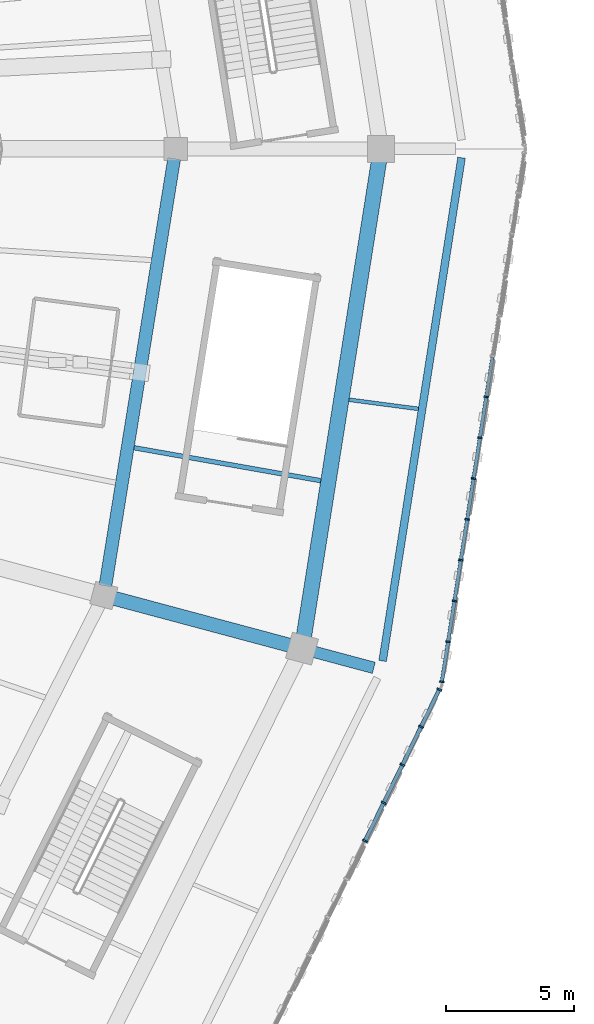
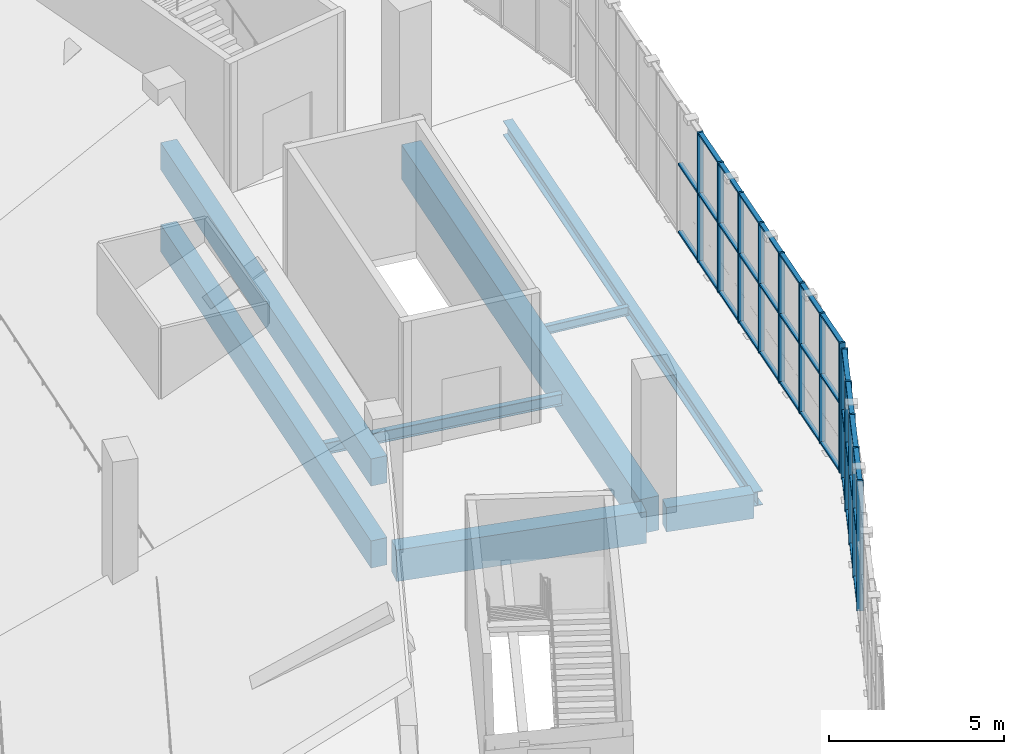
# One storey, part 38 of 152: 48 members, 8 beams, 2 elements without a shape of their own.
"""IFC4 building model written with IfcOpenShell, lengths in metres."""

from ifc_helpers import new_model, si_unit, direction, frame, origin, origin_2d, place, context, subcontext, project, spatial, rectangle, i_section, extrude, material, material_profile, profile_set, type_object, element, aggregate, save


model = new_model("IFC4")

# Units and contexts
model_context = context("Model", 3, precision=1e-05, world=origin(), true_north=direction((0.0, 1.0)))
body_context = subcontext(model_context, "Body", "Model", "MODEL_VIEW")
ifc_project = project(units=[si_unit("LENGTHUNIT", "METRE"), si_unit("AREAUNIT", "SQUARE_METRE"), si_unit("VOLUMEUNIT", "CUBIC_METRE"), si_unit("PLANEANGLEUNIT", "RADIAN"), si_unit("MASSUNIT", "GRAM", prefix="KILO")], contexts=[model_context])

# Site, building, storey
site_placement = place(None, origin())
site = spatial("IfcSite", under=ifc_project, at=site_placement, CompositionType="ELEMENT")
building_placement = place(site_placement, origin())
building = spatial("IfcBuilding", under=site, at=building_placement, Name="Zevraka Park Crest Stadium", CompositionType="ELEMENT")
storey_placement = place(building_placement, frame((0.0, 0.0, 15.0)))
storey = spatial("IfcBuildingStorey", under=building, at=storey_placement, Name="L03", CompositionType="ELEMENT", Elevation=15.0)

# Beams
ifc_material_1 = material(Name="Concrete C40/50", Category="concrete")
ifc_material_profile_1 = material_profile(ifc_material_1, rectangle(XDim=0.550048828125, YDim=1.10009765625, at=origin_2d()), Name="RC 1100x550")
ifc_profile_set_1 = profile_set([ifc_material_profile_1], Name="Concrete C40/50")
beam_type_1 = type_object("IfcBeamType", Name="BG02", PredefinedType="BEAM", material=ifc_profile_set_1)
beam_1_placement = place(storey_placement, frame((191.785888671875, 74.5029296875, -0.56005859375), z_axis=(0.965968812251, -0.258658565986, 0.0), x_axis=(0.258658565986, 0.965968812251, 0.0)))
element("IfcBeam", 1, at=beam_1_placement, inside=storey, type_object=beam_type_1, Name="Radial Girder BG02 L03-CD-23", PredefinedType="BEAM", context=body_context, shape_type="SweptSolid", body=[
    extrude(rectangle(XDim=0.550048828125, YDim=1.10009765625, at=origin_2d()), origin(), (0.0, 0.0, 1.0), 7.39892578125),
])
ifc_material_2 = material(Name="Concrete C40/50", Category="concrete")
ifc_material_profile_2 = material_profile(ifc_material_2, rectangle(XDim=0.449951171875, YDim=0.85009765625, at=origin_2d()), Name="RC 850x450")
ifc_profile_set_2 = profile_set([ifc_material_profile_2], Name="Concrete C40/50")
beam_type_2 = type_object("IfcBeamType", Name="BG03", PredefinedType="BEAM", material=ifc_profile_set_2)
beam_2_placement = place(storey_placement, frame((199.512939453125, 72.43310546875, -0.43505859375), z_axis=(0.965992888406, -0.258568636051, 0.0), x_axis=(0.258568636051, 0.965992888406, 0.0)))
element("IfcBeam", 2, at=beam_2_placement, inside=storey, type_object=beam_type_2, Name="Radial Girder BG03 L03-DE-23", PredefinedType="BEAM", context=body_context, shape_type="SweptSolid", body=[
    extrude(rectangle(XDim=0.449951171875, YDim=0.85009765625, at=origin_2d()), origin(), (0.0, 0.0, 1.0), 2.599365234375),
])

# Curtain wall, members
ifc_material_3 = material(Name="Anodised architectural aluminium and laminated safety glass", Category="aluminium")
curtain_wall_type_1 = type_object("IfcCurtainWallType", Name="CW11", PredefinedType="NOTDEFINED", material=ifc_material_3)
curtain_wall_1_placement = place(storey_placement, origin())
curtain_wall_1 = element("IfcCurtainWall", 3, at=curtain_wall_1_placement, inside=storey, type_object=curtain_wall_type_1, Name="Unitised Ring Curtain Wall CW11 L03-23", PredefinedType="NOTDEFINED")
ifc_material_4 = material(Name="Anodised architectural aluminium", Category="aluminium")
ifc_material_profile_3 = material_profile(ifc_material_4, rectangle(XDim=0.179931640625, YDim=0.06494140625, at=origin_2d()), Name="ALU MULLION 180x65")
ifc_profile_set_3 = profile_set([ifc_material_profile_3], Name="Anodised architectural aluminium")
member_type_1 = type_object("IfcMemberType", Name="CM02", PredefinedType="MULLION", material=ifc_profile_set_3)
member_1_placement = place(storey_placement, frame((204.677001953125, 71.218994140625, 0.0), z_axis=(0.0, 0.0, 1.0), x_axis=(-0.988050931267, 0.154127730222, 0.0)))
member_1 = element("IfcMember", 4, at=member_1_placement, type_object=member_type_1, Name="CW11 mullion 1", PredefinedType="MULLION", context=body_context, shape_type="SweptSolid", body=[
    extrude(rectangle(XDim=0.179931640625, YDim=0.06494140625, at=origin_2d()), origin(), (0.0, 0.0, 1.0), 4.5400390625),
])
member_2_placement = place(storey_placement, frame((204.920166015625, 72.7783203125, 0.0), z_axis=(0.0, 0.0, 1.0), x_axis=(-0.988050931267, 0.154127730222, 0.0)))
member_2 = element("IfcMember", 5, at=member_2_placement, type_object=member_type_1, Name="CW11 mullion 2", PredefinedType="MULLION", context=body_context, shape_type="SweptSolid", body=[
    extrude(rectangle(XDim=0.179931640625, YDim=0.06494140625, at=origin_2d()), origin(), (0.0, 0.0, 1.0), 4.5400390625),
])
member_3_placement = place(storey_placement, frame((205.16845703125, 74.36962890625, 0.0), z_axis=(0.0, 0.0, 1.0), x_axis=(-0.988050931267, 0.154127730222, 0.0)))
member_3 = element("IfcMember", 6, at=member_3_placement, type_object=member_type_1, Name="CW11 mullion 3", PredefinedType="MULLION", context=body_context, shape_type="SweptSolid", body=[
    extrude(rectangle(XDim=0.179931640625, YDim=0.06494140625, at=origin_2d()), origin(), (0.0, 0.0, 1.0), 4.5400390625),
])
member_4_placement = place(storey_placement, frame((205.416748046875, 75.9609375, 0.0), z_axis=(0.0, 0.0, 1.0), x_axis=(-0.988050931267, 0.154127730222, 0.0)))
member_4 = element("IfcMember", 7, at=member_4_placement, type_object=member_type_1, Name="CW11 mullion 4", PredefinedType="MULLION", context=body_context, shape_type="SweptSolid", body=[
    extrude(rectangle(XDim=0.179931640625, YDim=0.06494140625, at=origin_2d()), origin(), (0.0, 0.0, 1.0), 4.5400390625),
])
member_5_placement = place(storey_placement, frame((205.6650390625, 77.55224609375, 0.0), z_axis=(0.0, 0.0, 1.0), x_axis=(-0.988050931267, 0.154127730222, 0.0)))
member_5 = element("IfcMember", 8, at=member_5_placement, type_object=member_type_1, Name="CW11 mullion 5", PredefinedType="MULLION", context=body_context, shape_type="SweptSolid", body=[
    extrude(rectangle(XDim=0.179931640625, YDim=0.06494140625, at=origin_2d()), origin(), (0.0, 0.0, 1.0), 4.5400390625),
])
member_6_placement = place(storey_placement, frame((205.9130859375, 79.1435546875, 0.0), z_axis=(0.0, 0.0, 1.0), x_axis=(-0.988050931267, 0.154127730222, 0.0)))
member_6 = element("IfcMember", 9, at=member_6_placement, type_object=member_type_1, Name="CW11 mullion 6", PredefinedType="MULLION", context=body_context, shape_type="SweptSolid", body=[
    extrude(rectangle(XDim=0.179931640625, YDim=0.06494140625, at=origin_2d()), origin(), (0.0, 0.0, 1.0), 4.5400390625),
])
member_7_placement = place(storey_placement, frame((206.161376953125, 80.73486328125, 0.0), z_axis=(0.0, 0.0, 1.0), x_axis=(-0.988050931267, 0.154127730222, 0.0)))
member_7 = element("IfcMember", 10, at=member_7_placement, type_object=member_type_1, Name="CW11 mullion 7", PredefinedType="MULLION", context=body_context, shape_type="SweptSolid", body=[
    extrude(rectangle(XDim=0.179931640625, YDim=0.06494140625, at=origin_2d()), origin(), (0.0, 0.0, 1.0), 4.5400390625),
])
member_8_placement = place(storey_placement, frame((206.40966796875, 82.326171875, 0.0), z_axis=(0.0, 0.0, 1.0), x_axis=(-0.988050931267, 0.154127730222, 0.0)))
member_8 = element("IfcMember", 11, at=member_8_placement, type_object=member_type_1, Name="CW11 mullion 8", PredefinedType="MULLION", context=body_context, shape_type="SweptSolid", body=[
    extrude(rectangle(XDim=0.179931640625, YDim=0.06494140625, at=origin_2d()), origin(), (0.0, 0.0, 1.0), 4.5400390625),
])

ifc_material_5 = material(Name="Anodised architectural aluminium and laminated safety glass", Category="aluminium")
curtain_wall_type_2 = type_object("IfcCurtainWallType", Name="CW12", PredefinedType="NOTDEFINED", material=ifc_material_5)
curtain_wall_2_placement = place(storey_placement, origin())
curtain_wall_2 = element("IfcCurtainWall", 12, at=curtain_wall_2_placement, inside=storey, type_object=curtain_wall_type_2, Name="Unitised Ring Curtain Wall CW12 L03-22", PredefinedType="NOTDEFINED")
ifc_material_6 = material(Name="Anodised architectural aluminium", Category="aluminium")
ifc_material_profile_4 = material_profile(ifc_material_6, rectangle(XDim=0.199951171875, YDim=0.070068359375, at=origin_2d()), Name="ALU MULLION 200x70")
ifc_profile_set_4 = profile_set([ifc_material_profile_4], Name="Anodised architectural aluminium")
member_type_2 = type_object("IfcMemberType", Name="CM03", PredefinedType="MULLION", material=ifc_profile_set_4)
member_9_placement = place(storey_placement, frame((201.68212890625, 65.01220703125, 0.0), z_axis=(0.0, 0.0, 1.0), x_axis=(-0.897670958396, 0.440666370912, 0.0)))
member_9 = element("IfcMember", 13, at=member_9_placement, type_object=member_type_2, Name="CW12 mullion 10", PredefinedType="MULLION", context=body_context, shape_type="SweptSolid", body=[
    extrude(rectangle(XDim=0.199951171875, YDim=0.070068359375, at=origin_2d()), origin(), (0.0, 0.0, 1.0), 4.5400390625),
])
member_10_placement = place(storey_placement, frame((202.410400390625, 66.49560546875, 0.0), z_axis=(0.0, 0.0, 1.0), x_axis=(-0.897670958396, 0.440666370912, 0.0)))
member_10 = element("IfcMember", 14, at=member_10_placement, type_object=member_type_2, Name="CW12 mullion 11", PredefinedType="MULLION", context=body_context, shape_type="SweptSolid", body=[
    extrude(rectangle(XDim=0.199951171875, YDim=0.070068359375, at=origin_2d()), origin(), (0.0, 0.0, 1.0), 4.5400390625),
])
member_11_placement = place(storey_placement, frame((203.138427734375, 67.97900390625, 0.0), z_axis=(0.0, 0.0, 1.0), x_axis=(-0.897670958396, 0.440666370912, 0.0)))
member_11 = element("IfcMember", 15, at=member_11_placement, type_object=member_type_2, Name="CW12 mullion 12", PredefinedType="MULLION", context=body_context, shape_type="SweptSolid", body=[
    extrude(rectangle(XDim=0.199951171875, YDim=0.070068359375, at=origin_2d()), origin(), (0.0, 0.0, 1.0), 4.5400390625),
])
member_12_placement = place(storey_placement, frame((203.86669921875, 69.462646484375, 0.0), z_axis=(0.0, 0.0, 1.0), x_axis=(-0.897670958396, 0.440666370912, 0.0)))
member_12 = element("IfcMember", 16, at=member_12_placement, type_object=member_type_2, Name="CW12 mullion 13", PredefinedType="MULLION", context=body_context, shape_type="SweptSolid", body=[
    extrude(rectangle(XDim=0.199951171875, YDim=0.070068359375, at=origin_2d()), origin(), (0.0, 0.0, 1.0), 4.5400390625),
])
member_13_placement = place(storey_placement, frame((204.57958984375, 70.91455078125, 0.0), z_axis=(0.0, 0.0, 1.0), x_axis=(-0.897670958396, 0.440666370912, 0.0)))
member_13 = element("IfcMember", 17, at=member_13_placement, type_object=member_type_2, Name="CW12 mullion 14", PredefinedType="MULLION", context=body_context, shape_type="SweptSolid", body=[
    extrude(rectangle(XDim=0.199951171875, YDim=0.070068359375, at=origin_2d()), origin(), (0.0, 0.0, 1.0), 4.5400390625),
])

# Member
ifc_material_7 = material(Name="Anodised architectural aluminium", Category="aluminium")
ifc_material_profile_5 = material_profile(ifc_material_7, rectangle(XDim=0.139892578125, YDim=0.06494140625, at=origin_2d()), Name="ALU TRANSOM 140x65")
ifc_profile_set_5 = profile_set([ifc_material_profile_5], Name="Anodised architectural aluminium")
member_type_3 = type_object("IfcMemberType", Name="CT02", PredefinedType="USERDEFINED", material=ifc_profile_set_5)
member_14_placement = place(storey_placement, frame((204.68212890625, 71.251220703125, 0.032470703125), z_axis=(0.154106133662, 0.988054299909, 0.0), x_axis=(-0.988054299909, 0.154106133662, 0.0)))
member_14 = element("IfcMember", 18, at=member_14_placement, type_object=member_type_3, Name="CW11 transom 1.1", ObjectType="TRANSOM", PredefinedType="USERDEFINED", context=body_context, shape_type="SweptSolid", body=[
    extrude(rectangle(XDim=0.139892578125, YDim=0.06494140625, at=origin_2d()), origin(), (0.0, 0.0, 1.0), 1.512939453125),
])

member_15_placement = place(storey_placement, frame((204.68212890625, 71.251220703125, 2.39990234375), z_axis=(0.154106133662, 0.988054299909, 0.0), x_axis=(-0.988054299909, 0.154106133662, 0.0)))
member_15 = element("IfcMember", 19, at=member_15_placement, type_object=member_type_3, Name="CW11 transom 1.2", ObjectType="TRANSOM", PredefinedType="USERDEFINED", context=body_context, shape_type="SweptSolid", body=[
    extrude(rectangle(XDim=0.139892578125, YDim=0.06494140625, at=origin_2d()), origin(), (0.0, 0.0, 1.0), 1.512939453125),
])

member_16_placement = place(storey_placement, frame((204.68212890625, 71.251220703125, 4.507568359375), z_axis=(0.154106133662, 0.988054299909, 0.0), x_axis=(-0.988054299909, 0.154106133662, 0.0)))
member_16 = element("IfcMember", 20, at=member_16_placement, type_object=member_type_3, Name="CW11 transom 1.3", ObjectType="TRANSOM", PredefinedType="USERDEFINED", context=body_context, shape_type="SweptSolid", body=[
    extrude(rectangle(XDim=0.139892578125, YDim=0.06494140625, at=origin_2d()), origin(), (0.0, 0.0, 1.0), 1.512939453125),
])

member_17_placement = place(storey_placement, frame((204.92529296875, 72.810302734375, 0.032470703125), z_axis=(0.154169675764, 0.988044387199, 0.0), x_axis=(-0.988044387199, 0.154169675764, 0.0)))
member_17 = element("IfcMember", 21, at=member_17_placement, type_object=member_type_3, Name="CW11 transom 2.1", ObjectType="TRANSOM", PredefinedType="USERDEFINED", context=body_context, shape_type="SweptSolid", body=[
    extrude(rectangle(XDim=0.139892578125, YDim=0.06494140625, at=origin_2d()), origin(), (0.0, 0.0, 1.0), 1.545654296875),
])

member_18_placement = place(storey_placement, frame((204.92529296875, 72.810302734375, 2.39990234375), z_axis=(0.154169675764, 0.988044387199, 0.0), x_axis=(-0.988044387199, 0.154169675764, 0.0)))
member_18 = element("IfcMember", 22, at=member_18_placement, type_object=member_type_3, Name="CW11 transom 2.2", ObjectType="TRANSOM", PredefinedType="USERDEFINED", context=body_context, shape_type="SweptSolid", body=[
    extrude(rectangle(XDim=0.139892578125, YDim=0.06494140625, at=origin_2d()), origin(), (0.0, 0.0, 1.0), 1.545654296875),
])

member_19_placement = place(storey_placement, frame((204.92529296875, 72.810302734375, 4.507568359375), z_axis=(0.154169675764, 0.988044387199, 0.0), x_axis=(-0.988044387199, 0.154169675764, 0.0)))
member_19 = element("IfcMember", 23, at=member_19_placement, type_object=member_type_3, Name="CW11 transom 2.3", ObjectType="TRANSOM", PredefinedType="USERDEFINED", context=body_context, shape_type="SweptSolid", body=[
    extrude(rectangle(XDim=0.139892578125, YDim=0.06494140625, at=origin_2d()), origin(), (0.0, 0.0, 1.0), 1.545654296875),
])

member_20_placement = place(storey_placement, frame((205.173583984375, 74.401611328125, 0.032470703125), z_axis=(0.154015463856, 0.988068437353, 0.0), x_axis=(-0.988068437353, 0.154015463856, 0.0)))
member_20 = element("IfcMember", 24, at=member_20_placement, type_object=member_type_3, Name="CW11 transom 3.1", ObjectType="TRANSOM", PredefinedType="USERDEFINED", context=body_context, shape_type="SweptSolid", body=[
    extrude(rectangle(XDim=0.139892578125, YDim=0.06494140625, at=origin_2d()), origin(), (0.0, 0.0, 1.0), 1.545654296875),
])

member_21_placement = place(storey_placement, frame((205.173583984375, 74.401611328125, 2.39990234375), z_axis=(0.154015463856, 0.988068437353, 0.0), x_axis=(-0.988068437353, 0.154015463856, 0.0)))
member_21 = element("IfcMember", 25, at=member_21_placement, type_object=member_type_3, Name="CW11 transom 3.2", ObjectType="TRANSOM", PredefinedType="USERDEFINED", context=body_context, shape_type="SweptSolid", body=[
    extrude(rectangle(XDim=0.139892578125, YDim=0.06494140625, at=origin_2d()), origin(), (0.0, 0.0, 1.0), 1.545654296875),
])

member_22_placement = place(storey_placement, frame((205.173583984375, 74.401611328125, 4.507568359375), z_axis=(0.154015463856, 0.988068437353, 0.0), x_axis=(-0.988068437353, 0.154015463856, 0.0)))
member_22 = element("IfcMember", 26, at=member_22_placement, type_object=member_type_3, Name="CW11 transom 3.3", ObjectType="TRANSOM", PredefinedType="USERDEFINED", context=body_context, shape_type="SweptSolid", body=[
    extrude(rectangle(XDim=0.139892578125, YDim=0.06494140625, at=origin_2d()), origin(), (0.0, 0.0, 1.0), 1.545654296875),
])

member_23_placement = place(storey_placement, frame((205.421630859375, 75.992919921875, 0.032470703125), z_axis=(0.154169675764, 0.988044387199, 0.0), x_axis=(-0.988044387199, 0.154169675764, 0.0)))
member_23 = element("IfcMember", 27, at=member_23_placement, type_object=member_type_3, Name="CW11 transom 4.1", ObjectType="TRANSOM", PredefinedType="USERDEFINED", context=body_context, shape_type="SweptSolid", body=[
    extrude(rectangle(XDim=0.139892578125, YDim=0.06494140625, at=origin_2d()), origin(), (0.0, 0.0, 1.0), 1.545654296875),
])

member_24_placement = place(storey_placement, frame((205.421630859375, 75.992919921875, 2.39990234375), z_axis=(0.154169675764, 0.988044387199, 0.0), x_axis=(-0.988044387199, 0.154169675764, 0.0)))
member_24 = element("IfcMember", 28, at=member_24_placement, type_object=member_type_3, Name="CW11 transom 4.2", ObjectType="TRANSOM", PredefinedType="USERDEFINED", context=body_context, shape_type="SweptSolid", body=[
    extrude(rectangle(XDim=0.139892578125, YDim=0.06494140625, at=origin_2d()), origin(), (0.0, 0.0, 1.0), 1.545654296875),
])

member_25_placement = place(storey_placement, frame((205.421630859375, 75.992919921875, 4.507568359375), z_axis=(0.154169675764, 0.988044387199, 0.0), x_axis=(-0.988044387199, 0.154169675764, 0.0)))
member_25 = element("IfcMember", 29, at=member_25_placement, type_object=member_type_3, Name="CW11 transom 4.3", ObjectType="TRANSOM", PredefinedType="USERDEFINED", context=body_context, shape_type="SweptSolid", body=[
    extrude(rectangle(XDim=0.139892578125, YDim=0.06494140625, at=origin_2d()), origin(), (0.0, 0.0, 1.0), 1.545654296875),
])

member_26_placement = place(storey_placement, frame((205.669921875, 77.584228515625, 0.032470703125), z_axis=(0.154169675764, 0.988044387199, 0.0), x_axis=(-0.988044387199, 0.154169675764, 0.0)))
member_26 = element("IfcMember", 30, at=member_26_placement, type_object=member_type_3, Name="CW11 transom 5.1", ObjectType="TRANSOM", PredefinedType="USERDEFINED", context=body_context, shape_type="SweptSolid", body=[
    extrude(rectangle(XDim=0.139892578125, YDim=0.06494140625, at=origin_2d()), origin(), (0.0, 0.0, 1.0), 1.545654296875),
])

member_27_placement = place(storey_placement, frame((205.669921875, 77.584228515625, 2.39990234375), z_axis=(0.154169675764, 0.988044387199, 0.0), x_axis=(-0.988044387199, 0.154169675764, 0.0)))
member_27 = element("IfcMember", 31, at=member_27_placement, type_object=member_type_3, Name="CW11 transom 5.2", ObjectType="TRANSOM", PredefinedType="USERDEFINED", context=body_context, shape_type="SweptSolid", body=[
    extrude(rectangle(XDim=0.139892578125, YDim=0.06494140625, at=origin_2d()), origin(), (0.0, 0.0, 1.0), 1.545654296875),
])

member_28_placement = place(storey_placement, frame((205.669921875, 77.584228515625, 4.507568359375), z_axis=(0.154169675764, 0.988044387199, 0.0), x_axis=(-0.988044387199, 0.154169675764, 0.0)))
member_28 = element("IfcMember", 32, at=member_28_placement, type_object=member_type_3, Name="CW11 transom 5.3", ObjectType="TRANSOM", PredefinedType="USERDEFINED", context=body_context, shape_type="SweptSolid", body=[
    extrude(rectangle(XDim=0.139892578125, YDim=0.06494140625, at=origin_2d()), origin(), (0.0, 0.0, 1.0), 1.545654296875),
])

member_29_placement = place(storey_placement, frame((205.918212890625, 79.175537109375, 0.032470703125), z_axis=(0.154169675764, 0.988044387199, 0.0), x_axis=(-0.988044387199, 0.154169675764, 0.0)))
member_29 = element("IfcMember", 33, at=member_29_placement, type_object=member_type_3, Name="CW11 transom 6.1", ObjectType="TRANSOM", PredefinedType="USERDEFINED", context=body_context, shape_type="SweptSolid", body=[
    extrude(rectangle(XDim=0.139892578125, YDim=0.06494140625, at=origin_2d()), origin(), (0.0, 0.0, 1.0), 1.545654296875),
])

member_30_placement = place(storey_placement, frame((205.918212890625, 79.175537109375, 2.39990234375), z_axis=(0.154169675764, 0.988044387199, 0.0), x_axis=(-0.988044387199, 0.154169675764, 0.0)))
member_30 = element("IfcMember", 34, at=member_30_placement, type_object=member_type_3, Name="CW11 transom 6.2", ObjectType="TRANSOM", PredefinedType="USERDEFINED", context=body_context, shape_type="SweptSolid", body=[
    extrude(rectangle(XDim=0.139892578125, YDim=0.06494140625, at=origin_2d()), origin(), (0.0, 0.0, 1.0), 1.545654296875),
])

member_31_placement = place(storey_placement, frame((205.918212890625, 79.175537109375, 4.507568359375), z_axis=(0.154169675764, 0.988044387199, 0.0), x_axis=(-0.988044387199, 0.154169675764, 0.0)))
member_31 = element("IfcMember", 35, at=member_31_placement, type_object=member_type_3, Name="CW11 transom 6.3", ObjectType="TRANSOM", PredefinedType="USERDEFINED", context=body_context, shape_type="SweptSolid", body=[
    extrude(rectangle(XDim=0.139892578125, YDim=0.06494140625, at=origin_2d()), origin(), (0.0, 0.0, 1.0), 1.545654296875),
])

member_32_placement = place(storey_placement, frame((206.16650390625, 80.766845703125, 0.032470703125), z_axis=(0.154015463856, 0.988068437353, 0.0), x_axis=(-0.988068437353, 0.154015463856, 0.0)))
member_32 = element("IfcMember", 36, at=member_32_placement, type_object=member_type_3, Name="CW11 transom 7.1", ObjectType="TRANSOM", PredefinedType="USERDEFINED", context=body_context, shape_type="SweptSolid", body=[
    extrude(rectangle(XDim=0.139892578125, YDim=0.06494140625, at=origin_2d()), origin(), (0.0, 0.0, 1.0), 1.545654296875),
])

member_33_placement = place(storey_placement, frame((206.16650390625, 80.766845703125, 2.39990234375), z_axis=(0.154015463856, 0.988068437353, 0.0), x_axis=(-0.988068437353, 0.154015463856, 0.0)))
member_33 = element("IfcMember", 37, at=member_33_placement, type_object=member_type_3, Name="CW11 transom 7.2", ObjectType="TRANSOM", PredefinedType="USERDEFINED", context=body_context, shape_type="SweptSolid", body=[
    extrude(rectangle(XDim=0.139892578125, YDim=0.06494140625, at=origin_2d()), origin(), (0.0, 0.0, 1.0), 1.545654296875),
])

member_34_placement = place(storey_placement, frame((206.16650390625, 80.766845703125, 4.507568359375), z_axis=(0.154015463856, 0.988068437353, 0.0), x_axis=(-0.988068437353, 0.154015463856, 0.0)))
member_34 = element("IfcMember", 38, at=member_34_placement, type_object=member_type_3, Name="CW11 transom 7.3", ObjectType="TRANSOM", PredefinedType="USERDEFINED", context=body_context, shape_type="SweptSolid", body=[
    extrude(rectangle(XDim=0.139892578125, YDim=0.06494140625, at=origin_2d()), origin(), (0.0, 0.0, 1.0), 1.545654296875),
])

member_35_placement = place(storey_placement, frame((206.41455078125, 82.358154296875, 0.032470703125), z_axis=(0.154169675764, 0.988044387199, 0.0), x_axis=(-0.988044387199, 0.154169675764, 0.0)))
member_35 = element("IfcMember", 39, at=member_35_placement, type_object=member_type_3, Name="CW11 transom 8.1", ObjectType="TRANSOM", PredefinedType="USERDEFINED", context=body_context, shape_type="SweptSolid", body=[
    extrude(rectangle(XDim=0.139892578125, YDim=0.06494140625, at=origin_2d()), origin(), (0.0, 0.0, 1.0), 1.545654296875),
])

member_36_placement = place(storey_placement, frame((206.41455078125, 82.358154296875, 2.39990234375), z_axis=(0.154169675764, 0.988044387199, 0.0), x_axis=(-0.988044387199, 0.154169675764, 0.0)))
member_36 = element("IfcMember", 40, at=member_36_placement, type_object=member_type_3, Name="CW11 transom 8.2", ObjectType="TRANSOM", PredefinedType="USERDEFINED", context=body_context, shape_type="SweptSolid", body=[
    extrude(rectangle(XDim=0.139892578125, YDim=0.06494140625, at=origin_2d()), origin(), (0.0, 0.0, 1.0), 1.545654296875),
])

aggregate(curtain_wall_1, [member_1, member_2, member_3, member_4, member_5, member_6, member_7, member_8, member_14, member_15, member_16, member_17, member_18, member_19, member_20, member_21, member_22, member_23, member_24, member_25, member_26, member_27, member_28, member_29, member_30, member_31, member_32, member_33, member_34, member_35, member_36])

ifc_material_8 = material(Name="Anodised architectural aluminium", Category="aluminium")
ifc_material_profile_6 = material_profile(ifc_material_8, rectangle(XDim=0.14990234375, YDim=0.070068359375, at=origin_2d()), Name="ALU TRANSOM 150x70")
ifc_profile_set_6 = profile_set([ifc_material_profile_6], Name="Anodised architectural aluminium")
member_type_4 = type_object("IfcMemberType", Name="CT03", PredefinedType="USERDEFINED", material=ifc_profile_set_6)
member_37_placement = place(storey_placement, frame((201.697509765625, 65.04345703125, 0.034912109375), z_axis=(0.440598601408, 0.897704223248, 0.0), x_axis=(-0.897704223248, 0.440598601408, 0.0)))
member_37 = element("IfcMember", 41, at=member_37_placement, type_object=member_type_4, Name="CW12 transom 10.1", ObjectType="TRANSOM", PredefinedType="USERDEFINED", context=body_context, shape_type="SweptSolid", body=[
    extrude(rectangle(XDim=0.14990234375, YDim=0.070068359375, at=origin_2d()), origin(), (0.0, 0.0, 1.0), 1.58251953125),
])

member_38_placement = place(storey_placement, frame((201.697509765625, 65.04345703125, 2.39990234375), z_axis=(0.440598601408, 0.897704223248, 0.0), x_axis=(-0.897704223248, 0.440598601408, 0.0)))
member_38 = element("IfcMember", 42, at=member_38_placement, type_object=member_type_4, Name="CW12 transom 10.2", ObjectType="TRANSOM", PredefinedType="USERDEFINED", context=body_context, shape_type="SweptSolid", body=[
    extrude(rectangle(XDim=0.14990234375, YDim=0.070068359375, at=origin_2d()), origin(), (0.0, 0.0, 1.0), 1.58251953125),
])

member_39_placement = place(storey_placement, frame((201.697509765625, 65.04345703125, 4.5048828125), z_axis=(0.440598601408, 0.897704223248, 0.0), x_axis=(-0.897704223248, 0.440598601408, 0.0)))
member_39 = element("IfcMember", 43, at=member_39_placement, type_object=member_type_4, Name="CW12 transom 10.3", ObjectType="TRANSOM", PredefinedType="USERDEFINED", context=body_context, shape_type="SweptSolid", body=[
    extrude(rectangle(XDim=0.14990234375, YDim=0.070068359375, at=origin_2d()), origin(), (0.0, 0.0, 1.0), 1.58251953125),
])

member_40_placement = place(storey_placement, frame((202.42578125, 66.527099609375, 0.034912109375), z_axis=(0.440598601408, 0.897704223248, 0.0), x_axis=(-0.897704223248, 0.440598601408, 0.0)))
member_40 = element("IfcMember", 44, at=member_40_placement, type_object=member_type_4, Name="CW12 transom 11.1", ObjectType="TRANSOM", PredefinedType="USERDEFINED", context=body_context, shape_type="SweptSolid", body=[
    extrude(rectangle(XDim=0.14990234375, YDim=0.070068359375, at=origin_2d()), origin(), (0.0, 0.0, 1.0), 1.58251953125),
])

member_41_placement = place(storey_placement, frame((202.42578125, 66.527099609375, 2.39990234375), z_axis=(0.440598601408, 0.897704223248, 0.0), x_axis=(-0.897704223248, 0.440598601408, 0.0)))
member_41 = element("IfcMember", 45, at=member_41_placement, type_object=member_type_4, Name="CW12 transom 11.2", ObjectType="TRANSOM", PredefinedType="USERDEFINED", context=body_context, shape_type="SweptSolid", body=[
    extrude(rectangle(XDim=0.14990234375, YDim=0.070068359375, at=origin_2d()), origin(), (0.0, 0.0, 1.0), 1.58251953125),
])

member_42_placement = place(storey_placement, frame((202.42578125, 66.527099609375, 4.5048828125), z_axis=(0.440598601408, 0.897704223248, 0.0), x_axis=(-0.897704223248, 0.440598601408, 0.0)))
member_42 = element("IfcMember", 46, at=member_42_placement, type_object=member_type_4, Name="CW12 transom 11.3", ObjectType="TRANSOM", PredefinedType="USERDEFINED", context=body_context, shape_type="SweptSolid", body=[
    extrude(rectangle(XDim=0.14990234375, YDim=0.070068359375, at=origin_2d()), origin(), (0.0, 0.0, 1.0), 1.58251953125),
])

member_43_placement = place(storey_placement, frame((203.154052734375, 68.010498046875, 0.034912109375), z_axis=(0.440598601408, 0.897704223248, 0.0), x_axis=(-0.897704223248, 0.440598601408, 0.0)))
member_43 = element("IfcMember", 47, at=member_43_placement, type_object=member_type_4, Name="CW12 transom 12.1", ObjectType="TRANSOM", PredefinedType="USERDEFINED", context=body_context, shape_type="SweptSolid", body=[
    extrude(rectangle(XDim=0.14990234375, YDim=0.070068359375, at=origin_2d()), origin(), (0.0, 0.0, 1.0), 1.58251953125),
])

member_44_placement = place(storey_placement, frame((203.154052734375, 68.010498046875, 2.39990234375), z_axis=(0.440598601408, 0.897704223248, 0.0), x_axis=(-0.897704223248, 0.440598601408, 0.0)))
member_44 = element("IfcMember", 48, at=member_44_placement, type_object=member_type_4, Name="CW12 transom 12.2", ObjectType="TRANSOM", PredefinedType="USERDEFINED", context=body_context, shape_type="SweptSolid", body=[
    extrude(rectangle(XDim=0.14990234375, YDim=0.070068359375, at=origin_2d()), origin(), (0.0, 0.0, 1.0), 1.58251953125),
])

member_45_placement = place(storey_placement, frame((203.154052734375, 68.010498046875, 4.5048828125), z_axis=(0.440598601408, 0.897704223248, 0.0), x_axis=(-0.897704223248, 0.440598601408, 0.0)))
member_45 = element("IfcMember", 49, at=member_45_placement, type_object=member_type_4, Name="CW12 transom 12.3", ObjectType="TRANSOM", PredefinedType="USERDEFINED", context=body_context, shape_type="SweptSolid", body=[
    extrude(rectangle(XDim=0.14990234375, YDim=0.070068359375, at=origin_2d()), origin(), (0.0, 0.0, 1.0), 1.58251953125),
])

member_46_placement = place(storey_placement, frame((203.882080078125, 69.493896484375, 0.034912109375), z_axis=(0.440765638904, 0.89762222096, 0.0), x_axis=(-0.89762222096, 0.440765638904, 0.0)))
member_46 = element("IfcMember", 50, at=member_46_placement, type_object=member_type_4, Name="CW12 transom 13.1", ObjectType="TRANSOM", PredefinedType="USERDEFINED", context=body_context, shape_type="SweptSolid", body=[
    extrude(rectangle(XDim=0.14990234375, YDim=0.070068359375, at=origin_2d()), origin(), (0.0, 0.0, 1.0), 1.547607421875),
])

member_47_placement = place(storey_placement, frame((203.882080078125, 69.493896484375, 2.39990234375), z_axis=(0.440765638904, 0.89762222096, 0.0), x_axis=(-0.89762222096, 0.440765638904, 0.0)))
member_47 = element("IfcMember", 51, at=member_47_placement, type_object=member_type_4, Name="CW12 transom 13.2", ObjectType="TRANSOM", PredefinedType="USERDEFINED", context=body_context, shape_type="SweptSolid", body=[
    extrude(rectangle(XDim=0.14990234375, YDim=0.070068359375, at=origin_2d()), origin(), (0.0, 0.0, 1.0), 1.547607421875),
])

member_48_placement = place(storey_placement, frame((203.882080078125, 69.493896484375, 4.5048828125), z_axis=(0.440765638904, 0.89762222096, 0.0), x_axis=(-0.89762222096, 0.440765638904, 0.0)))
member_48 = element("IfcMember", 52, at=member_48_placement, type_object=member_type_4, Name="CW12 transom 13.3", ObjectType="TRANSOM", PredefinedType="USERDEFINED", context=body_context, shape_type="SweptSolid", body=[
    extrude(rectangle(XDim=0.14990234375, YDim=0.070068359375, at=origin_2d()), origin(), (0.0, 0.0, 1.0), 1.547607421875),
])

aggregate(curtain_wall_2, [member_9, member_10, member_11, member_12, member_13, member_37, member_38, member_39, member_40, member_41, member_42, member_43, member_44, member_45, member_46, member_47, member_48])

# Beams
ifc_material_9 = material(Name="Concrete C40/50", Category="concrete")
ifc_material_profile_7 = material_profile(ifc_material_9, rectangle(XDim=0.60009765625, YDim=1.199951171875, at=origin_2d()), Name="RC 1200x600")
ifc_profile_set_7 = profile_set([ifc_material_profile_7], Name="Concrete C40/50")
beam_type_3 = type_object("IfcBeamType", Name="RB01", PredefinedType="BEAM", material=ifc_profile_set_7)
beam_3_placement = place(storey_placement, frame((199.281982421875, 72.885986328125, -0.610107421875), z_axis=(0.155972486086, 0.987761400129, 0.0), x_axis=(-0.987761400129, 0.155972486086, 0.0)))
element("IfcBeam", 53, at=beam_3_placement, inside=storey, type_object=beam_type_3, Name="Ring Beam RB01 L03-D-23", PredefinedType="BEAM", context=body_context, shape_type="SweptSolid", body=[
    extrude(rectangle(XDim=0.60009765625, YDim=1.199951171875, at=origin_2d()), origin(), (0.0, 0.0, 1.0), 18.97119140625),
])
ifc_material_10 = material(Name="Concrete C40/50", Category="concrete")
ifc_material_profile_8 = material_profile(ifc_material_10, rectangle(XDim=0.5, YDim=0.949951171875, at=origin_2d()), Name="RC 950x500")
ifc_profile_set_8 = profile_set([ifc_material_profile_8], Name="Concrete C40/50")
beam_type_4 = type_object("IfcBeamType", Name="RB02", PredefinedType="BEAM", material=ifc_profile_set_8)
for number, where, z_axis, x_axis, name in (
    (54, (191.555908203125, 74.9560546875, -0.485107421875), (0.158975112778, 0.987282590507, 0.0), (-0.987282590507, 0.158975112778, 0.0), "Ring Beam RB02 L03-C-23"),
    (55, (191.555908203125, 74.9560546875, 2.375), (0.158975112778, 0.987282590507, 0.0), (-0.987282590507, 0.158975112778, 0.0), "Upper Tier Head Raker Ring Beam RB02 23"),
):
    element("IfcBeam", number, at=place(storey_placement, frame(where, z_axis=z_axis, x_axis=x_axis)), inside=storey, type_object=beam_type_4, Name=name, PredefinedType="BEAM", context=body_context, shape_type="SweptSolid", body=[
        extrude(rectangle(XDim=0.5, YDim=0.949951171875, at=origin_2d()), origin(), (0.0, 0.0, 1.0), 16.883544921875),
    ])
ifc_material_11 = material(Name="Steel S355", Category="steel")
ifc_material_profile_9 = material_profile(ifc_material_11, i_section(OverallWidth=0.300048828125, OverallDepth=0.5, WebThickness=0.014404296875, FlangeThickness=0.028076171875, at=origin_2d()), Name="HEB 500")
ifc_profile_set_9 = profile_set([ifc_material_profile_9], Name="Steel S355")
beam_type_5 = type_object("IfcBeamType", Name="RB05", PredefinedType="BEAM", material=ifc_profile_set_9)
beam_4_placement = place(storey_placement, frame((202.367919921875, 72.029052734375, -0.60498046875), z_axis=(0.154952716421, 0.987921887435, 0.0), x_axis=(-0.987921887435, 0.154952716421, 0.0)))
element("IfcBeam", 56, at=beam_4_placement, inside=storey, type_object=beam_type_5, Name="Ring Beam RB05 L03-E-23", PredefinedType="BEAM", context=body_context, shape_type="SweptSolid", body=[
    extrude(i_section(OverallWidth=0.300048828125, OverallDepth=0.5, WebThickness=0.014404296875, FlangeThickness=0.028076171875, at=origin_2d()), origin(), (0.0, 0.0, 1.0), 19.864990234375),
])
ifc_material_12 = material(Name="Steel S355", Category="steel")
ifc_material_profile_10 = material_profile(ifc_material_12, i_section(OverallWidth=0.14990234375, OverallDepth=0.300048828125, WebThickness=0.007080078125, FlangeThickness=0.0107421875, at=origin_2d()), Name="IPE 300")
ifc_profile_set_10 = profile_set([ifc_material_profile_10], Name="Steel S355")
beam_type_6 = type_object("IfcBeamType", Name="SJ01", PredefinedType="JOIST", material=ifc_profile_set_10)
beam_5_placement = place(storey_placement, frame((201.053955078125, 82.217041015625, -0.4580078125), z_axis=(0.991431166896, -0.130630169971, 0.0), x_axis=(0.130630169971, 0.991431166896, 0.0)))
element("IfcBeam", 57, at=beam_5_placement, inside=storey, type_object=beam_type_6, Name="Floor Joist SJ01 L03-DE-23-1", PredefinedType="JOIST", context=body_context, shape_type="SweptSolid", body=[
    extrude(i_section(OverallWidth=0.14990234375, OverallDepth=0.300048828125, WebThickness=0.007080078125, FlangeThickness=0.0107421875, at=origin_2d()), origin(), (0.0, 0.0, 1.0), 2.732421875),
])
ifc_material_13 = material(Name="Steel S355", Category="steel")
ifc_material_profile_11 = material_profile(ifc_material_13, i_section(OverallWidth=0.179931640625, OverallDepth=0.39990234375, WebThickness=0.008544921875, FlangeThickness=0.013427734375, at=origin_2d()), Name="IPE 400")
ifc_profile_set_11 = profile_set([ifc_material_profile_11], Name="Steel S355")
beam_type_7 = type_object("IfcBeamType", Name="SJ09", PredefinedType="JOIST", material=ifc_profile_set_11)
beam_6_placement = place(storey_placement, frame((192.672119140625, 80.344970703125, -0.508056640625), z_axis=(0.984780236621, -0.17380415864, 0.0), x_axis=(0.17380415864, 0.984780236621, 0.0)))
element("IfcBeam", 58, at=beam_6_placement, inside=storey, type_object=beam_type_7, Name="Floor Joist SJ09 L03-CD-23-1", PredefinedType="JOIST", context=body_context, shape_type="SweptSolid", body=[
    extrude(i_section(OverallWidth=0.179931640625, OverallDepth=0.39990234375, WebThickness=0.008544921875, FlangeThickness=0.013427734375, at=origin_2d()), origin(), (0.0, 0.0, 1.0), 7.3984375),
])

save(model, "model.ifc")
